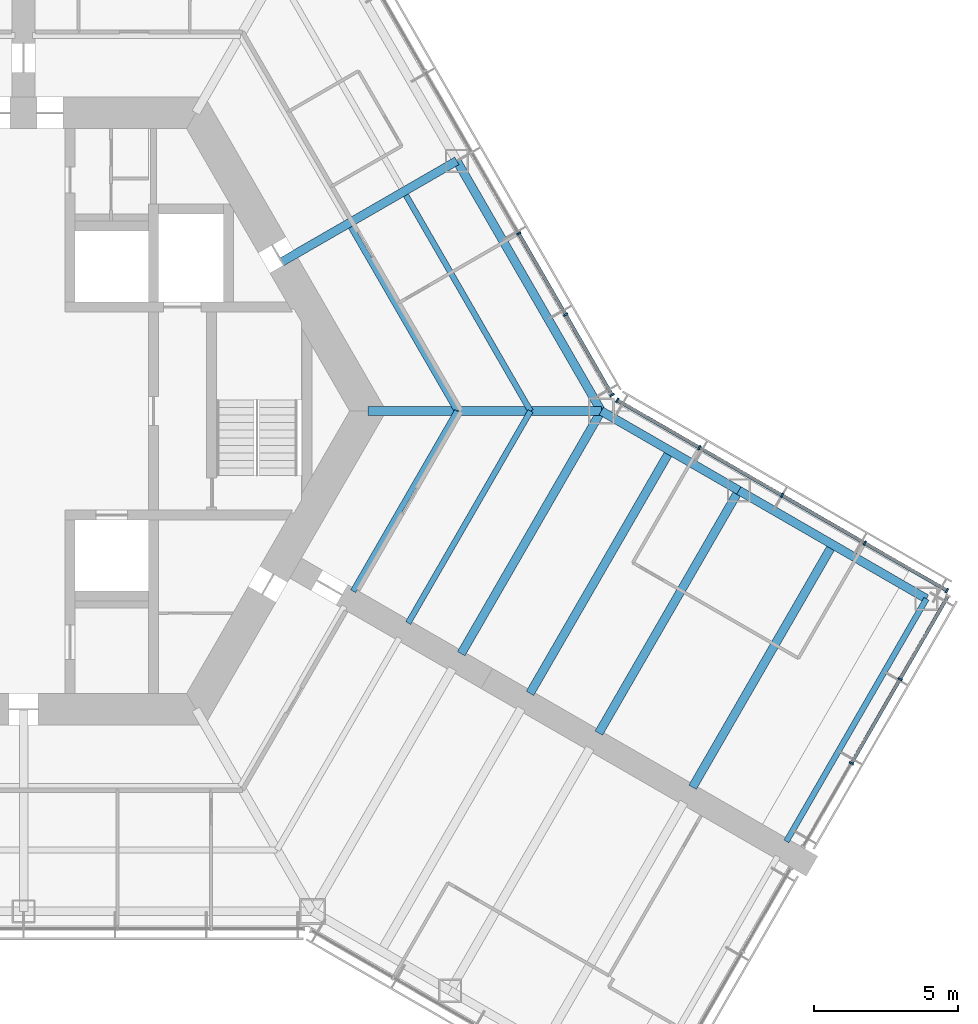
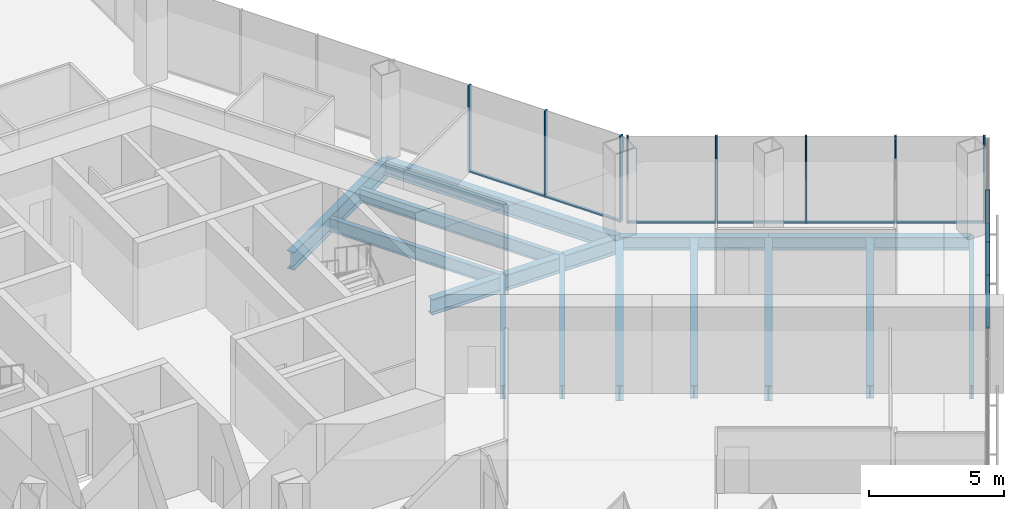
# One storey, part 6 of 18: 18 members, 14 beams, 3 elements without a shape of their own.
"""IFC4 building model written with IfcOpenShell, lengths in metres."""

from ifc_helpers import new_model, si_unit, direction, frame, origin, origin_2d, place, context, subcontext, project, spatial, rectangle, i_section, extrude, material, material_profile, profile_set, type_object, element, aggregate, save


model = new_model("IFC4")

# Units and contexts
model_context = context("Model", 3, precision=1e-05, world=origin(), true_north=direction((0.0, 1.0)))
body_context = subcontext(model_context, "Body", "Model", "MODEL_VIEW")
ifc_project = project(units=[si_unit("LENGTHUNIT", "METRE"), si_unit("AREAUNIT", "SQUARE_METRE"), si_unit("VOLUMEUNIT", "CUBIC_METRE"), si_unit("PLANEANGLEUNIT", "RADIAN"), si_unit("MASSUNIT", "GRAM", prefix="KILO")], contexts=[model_context])

# Site, building, storey
site_placement = place(None, origin())
site = spatial("IfcSite", under=ifc_project, at=site_placement, CompositionType="ELEMENT")
building_placement = place(site_placement, origin())
building = spatial("IfcBuilding", under=site, at=building_placement, Name="Kasaneha Research Tower", CompositionType="ELEMENT")
storey_placement = place(building_placement, frame((0.0, 0.0, 111.89990234375)))
storey = spatial("IfcBuildingStorey", under=building, at=storey_placement, Name="L28", CompositionType="ELEMENT", Elevation=111.89990234375)

# Beams
ifc_material_1 = material(Name="Steel SN490B", Category="steel")
ifc_material_profile_1 = material_profile(ifc_material_1, i_section(OverallWidth=0.199951171875, OverallDepth=0.60009765625, WebThickness=0.010986328125, FlangeThickness=0.01708984375, FilletRadius=0.012939453125, at=origin_2d()), Name="H-600x200x11x17")
ifc_profile_set_1 = profile_set([ifc_material_profile_1], Name="Steel SN490B")
beam_type_1 = type_object("IfcBeamType", Name="B1-3 secondary beam H-600x200x11x17", PredefinedType="JOIST", material=ifc_profile_set_1)
beam_1_placement = place(storey_placement, frame((15.010986328125, 0.0, -0.449951171875), z_axis=(-0.499994443168, 0.866028611999, 0.0), x_axis=(-0.866028611999, -0.499994443168, 0.0)))
element("IfcBeam", 1, at=beam_1_placement, inside=storey, type_object=beam_type_1, Name="Secondary beam RS030L1 L28", PredefinedType="JOIST", context=body_context, shape_type="SweptSolid", body=[
    extrude(i_section(OverallWidth=0.199951171875, OverallDepth=0.60009765625, WebThickness=0.010986328125, FlangeThickness=0.01708984375, FilletRadius=0.012939453125, at=origin_2d()), origin(), (0.0, 0.0, 1.0), 7.35546875),
])
beam_2_placement = place(storey_placement, frame((17.551513671875, 0.0, -0.449951171875), z_axis=(-0.5000050195, 0.866022505755, 0.0), x_axis=(-0.866022505755, -0.5000050195, 0.0)))
element("IfcBeam", 2, at=beam_2_placement, inside=storey, type_object=beam_type_1, Name="Secondary beam RS030L2 L28", PredefinedType="JOIST", context=body_context, shape_type="SweptSolid", body=[
    extrude(i_section(OverallWidth=0.199951171875, OverallDepth=0.60009765625, WebThickness=0.010986328125, FlangeThickness=0.01708984375, FilletRadius=0.012939453125, at=origin_2d()), origin(), (0.0, 0.0, 1.0), 8.6259765625),
])
beam_3_placement = place(storey_placement, frame((15.010986328125, 0.0, -0.449951171875), z_axis=(-0.499972735707, -0.866041144259, 0.0), x_axis=(0.866041144259, -0.499972735707, 0.0)))
element("IfcBeam", 3, at=beam_3_placement, inside=storey, type_object=beam_type_1, Name="Secondary beam RS330R1 L28", PredefinedType="JOIST", context=body_context, shape_type="SweptSolid", body=[
    extrude(i_section(OverallWidth=0.199951171875, OverallDepth=0.60009765625, WebThickness=0.010986328125, FlangeThickness=0.01708984375, FilletRadius=0.012939453125, at=origin_2d()), origin(), (0.0, 0.0, 1.0), 7.20556640625),
])
beam_4_placement = place(storey_placement, frame((17.551513671875, 0.0, -0.449951171875), z_axis=(-0.500020829043, -0.866013377797, 0.0), x_axis=(0.866013377797, -0.500020829043, 0.0)))
element("IfcBeam", 4, at=beam_4_placement, inside=storey, type_object=beam_type_1, Name="Secondary beam RS330R2 L28", PredefinedType="JOIST", context=body_context, shape_type="SweptSolid", body=[
    extrude(i_section(OverallWidth=0.199951171875, OverallDepth=0.60009765625, WebThickness=0.010986328125, FlangeThickness=0.01708984375, FilletRadius=0.012939453125, at=origin_2d()), origin(), (0.0, 0.0, 1.0), 8.475830078125),
])
ifc_material_2 = material(Name="Steel SN490B", Category="steel")
ifc_material_profile_2 = material_profile(ifc_material_2, i_section(OverallWidth=0.300048828125, OverallDepth=0.58203125, WebThickness=0.011962890625, FlangeThickness=0.01708984375, FilletRadius=0.012939453125, at=origin_2d()), Name="H-582x300x12x17")
ifc_profile_set_2 = profile_set([ifc_material_profile_2], Name="Steel SN490B")
beam_type_2 = type_object("IfcBeamType", Name="B2-3 secondary beam H-582x300x12x17", PredefinedType="JOIST", material=ifc_profile_set_2)
for number, where, z_axis, x_axis, name in (
    (5, (22.381591796875, -1.375, -0.44091796875), (-0.500010041276, -0.866019606374, 0.0), (0.866019606374, -0.500010041276, 0.0), "Secondary beam WBCN1 L28"),
    (6, (28.0107421875, -4.625, -0.44091796875), (-0.500010041276, -0.866019606374, 0.0), (0.866019606374, -0.500010041276, 0.0), "Secondary beam WBCN2 L28"),
):
    element("IfcBeam", number, at=place(storey_placement, frame(where, z_axis=z_axis, x_axis=x_axis)), inside=storey, type_object=beam_type_2, Name=name, PredefinedType="JOIST", context=body_context, shape_type="SweptSolid", body=[
        extrude(i_section(OverallWidth=0.300048828125, OverallDepth=0.58203125, WebThickness=0.011962890625, FlangeThickness=0.01708984375, FilletRadius=0.012939453125, at=origin_2d()), origin(), (0.0, 0.0, 1.0), 9.699951171875),
    ])

# Curtain wall, members
ifc_material_3 = material(Name="Glass and aluminium", Category="aluminium")
curtain_wall_type = type_object("IfcCurtainWallType", Name="Low-rise office curtain wall", PredefinedType="USERDEFINED", material=ifc_material_3)
curtain_wall_1_placement = place(storey_placement, origin())
curtain_wall_1 = element("IfcCurtainWall", 7, at=curtain_wall_1_placement, inside=storey, type_object=curtain_wall_type, Name="CW-O1 L28 run 05a", ObjectType="UNITISED CURTAIN WALL", PredefinedType="USERDEFINED")
ifc_material_4 = material(Name="Aluminium 6063-T6", Category="aluminium")
ifc_material_profile_3 = material_profile(ifc_material_4, rectangle(XDim=0.06005859375, YDim=0.159912109375, at=origin_2d()), Name="CW-O1 mullion 60x160")
ifc_profile_set_3 = profile_set([ifc_material_profile_3], Name="Aluminium 6063-T6")
member_type_1 = type_object("IfcMemberType", Name="CW-O1 mullion", PredefinedType="MULLION", material=ifc_profile_set_3)
member_1_placement = place(storey_placement, frame((28.661376953125, -12.1982421875, 0.0), z_axis=(0.0, 0.0, 1.0), x_axis=(0.500000011442, 0.866025397178, 0.0)))
member_1 = element("IfcMember", 8, at=member_1_placement, type_object=member_type_1, Name="CW-O1 mullion 2", PredefinedType="MULLION", context=body_context, shape_type="SweptSolid", body=[
    extrude(rectangle(XDim=0.06005859375, YDim=0.159912109375, at=origin_2d()), origin(), (0.0, 0.0, 1.0), 3.900146484375),
])
member_2_placement = place(storey_placement, frame((30.3447265625, -9.28271484375, 0.0), z_axis=(0.0, 0.0, 1.0), x_axis=(0.500000011442, 0.866025397178, 0.0)))
member_2 = element("IfcMember", 9, at=member_2_placement, type_object=member_type_1, Name="CW-O1 mullion 3", PredefinedType="MULLION", context=body_context, shape_type="SweptSolid", body=[
    extrude(rectangle(XDim=0.06005859375, YDim=0.159912109375, at=origin_2d()), origin(), (0.0, 0.0, 1.0), 3.900146484375),
])

curtain_wall_2_placement = place(storey_placement, origin())
curtain_wall_2 = element("IfcCurtainWall", 10, at=curtain_wall_2_placement, inside=storey, type_object=curtain_wall_type, Name="CW-O1 L28 run 06a", ObjectType="UNITISED CURTAIN WALL", PredefinedType="USERDEFINED")
member_3_placement = place(storey_placement, frame((31.96533203125, -6.21533203125, 0.0), z_axis=(0.0, 0.0, 1.0), x_axis=(-0.866025411464, 0.499999986699, 0.0)))
member_3 = element("IfcMember", 11, at=member_3_placement, type_object=member_type_1, Name="CW-O1 mullion 1", PredefinedType="MULLION", context=body_context, shape_type="SweptSolid", body=[
    extrude(rectangle(XDim=0.06005859375, YDim=0.159912109375, at=origin_2d()), origin(), (0.0, 0.0, 1.0), 3.900146484375),
])
member_4_placement = place(storey_placement, frame((29.125, -4.575439453125, 0.0), z_axis=(0.0, 0.0, 1.0), x_axis=(-0.866025411464, 0.499999986699, 0.0)))
member_4 = element("IfcMember", 12, at=member_4_placement, type_object=member_type_1, Name="CW-O1 mullion 2", PredefinedType="MULLION", context=body_context, shape_type="SweptSolid", body=[
    extrude(rectangle(XDim=0.06005859375, YDim=0.159912109375, at=origin_2d()), origin(), (0.0, 0.0, 1.0), 3.900146484375),
])
member_5_placement = place(storey_placement, frame((26.258544921875, -2.920654296875, 0.0), z_axis=(0.0, 0.0, 1.0), x_axis=(-0.866025411464, 0.499999986699, 0.0)))
member_5 = element("IfcMember", 13, at=member_5_placement, type_object=member_type_1, Name="CW-O1 mullion 3", PredefinedType="MULLION", context=body_context, shape_type="SweptSolid", body=[
    extrude(rectangle(XDim=0.06005859375, YDim=0.159912109375, at=origin_2d()), origin(), (0.0, 0.0, 1.0), 3.900146484375),
])
member_6_placement = place(storey_placement, frame((23.39208984375, -1.265625, 0.0), z_axis=(0.0, 0.0, 1.0), x_axis=(-0.866025411464, 0.499999986699, 0.0)))
member_6 = element("IfcMember", 14, at=member_6_placement, type_object=member_type_1, Name="CW-O1 mullion 4", PredefinedType="MULLION", context=body_context, shape_type="SweptSolid", body=[
    extrude(rectangle(XDim=0.06005859375, YDim=0.159912109375, at=origin_2d()), origin(), (0.0, 0.0, 1.0), 3.900146484375),
])
member_7_placement = place(storey_placement, frame((20.5517578125, 0.374267578125, 0.0), z_axis=(0.0, 0.0, 1.0), x_axis=(-0.866025411464, 0.499999986699, 0.0)))
member_7 = element("IfcMember", 15, at=member_7_placement, type_object=member_type_1, Name="CW-O1 mullion 5", PredefinedType="MULLION", context=body_context, shape_type="SweptSolid", body=[
    extrude(rectangle(XDim=0.06005859375, YDim=0.159912109375, at=origin_2d()), origin(), (0.0, 0.0, 1.0), 3.900146484375),
])

curtain_wall_3_placement = place(storey_placement, origin())
curtain_wall_3 = element("IfcCurtainWall", 16, at=curtain_wall_3_placement, inside=storey, type_object=curtain_wall_type, Name="CW-O1 L28 run 07a", ObjectType="UNITISED CURTAIN WALL", PredefinedType="USERDEFINED")
member_8_placement = place(storey_placement, frame((20.374267578125, 0.5517578125, 0.0), z_axis=(0.0, 0.0, 1.0), x_axis=(-0.49999996188, 0.866025425793, 0.0)))
member_8 = element("IfcMember", 17, at=member_8_placement, type_object=member_type_1, Name="CW-O1 mullion 1", PredefinedType="MULLION", context=body_context, shape_type="SweptSolid", body=[
    extrude(rectangle(XDim=0.06005859375, YDim=0.159912109375, at=origin_2d()), origin(), (0.0, 0.0, 1.0), 3.900146484375),
])
member_9_placement = place(storey_placement, frame((18.76611328125, 3.33740234375, 0.0), z_axis=(0.0, 0.0, 1.0), x_axis=(-0.49999996188, 0.866025425793, 0.0)))
member_9 = element("IfcMember", 18, at=member_9_placement, type_object=member_type_1, Name="CW-O1 mullion 2", PredefinedType="MULLION", context=body_context, shape_type="SweptSolid", body=[
    extrude(rectangle(XDim=0.06005859375, YDim=0.159912109375, at=origin_2d()), origin(), (0.0, 0.0, 1.0), 3.900146484375),
])
member_10_placement = place(storey_placement, frame((17.142822265625, 6.148681640625, 0.0), z_axis=(0.0, 0.0, 1.0), x_axis=(-0.49999996188, 0.866025425793, 0.0)))
member_10 = element("IfcMember", 19, at=member_10_placement, type_object=member_type_1, Name="CW-O1 mullion 3", PredefinedType="MULLION", context=body_context, shape_type="SweptSolid", body=[
    extrude(rectangle(XDim=0.06005859375, YDim=0.159912109375, at=origin_2d()), origin(), (0.0, 0.0, 1.0), 3.900146484375),
])

# Member
ifc_material_5 = material(Name="Aluminium 6063-T6", Category="aluminium")
ifc_material_profile_4 = material_profile(ifc_material_5, rectangle(XDim=0.1201171875, YDim=0.06005859375, at=origin_2d()), Name="CW-O1 transom 120x60")
ifc_profile_set_4 = profile_set([ifc_material_profile_4], Name="Aluminium 6063-T6")
member_type_2 = type_object("IfcMemberType", Name="CW-O1 transom", PredefinedType="USERDEFINED", material=ifc_profile_set_4)
member_11_placement = place(storey_placement, frame((28.67626953125, -12.17236328125, 0.030029296875), z_axis=(0.499982354831, 0.866035590988, 0.0), x_axis=(-0.866035590988, 0.499982354831, 0.0)))
member_11 = element("IfcMember", 20, at=member_11_placement, type_object=member_type_2, Name="CW-O1 transom 2", ObjectType="TRANSOM", PredefinedType="USERDEFINED", context=body_context, shape_type="SweptSolid", body=[
    extrude(rectangle(XDim=0.1201171875, YDim=0.06005859375, at=origin_2d()), origin(), (0.0, 0.0, 1.0), 3.306640625),
])

member_12_placement = place(storey_placement, frame((30.359619140625, -9.256591796875, 0.030029296875), z_axis=(0.500025583411, 0.866010632691, 0.0), x_axis=(-0.866010632691, 0.500025583411, 0.0)))
member_12 = element("IfcMember", 21, at=member_12_placement, type_object=member_type_2, Name="CW-O1 transom 3", ObjectType="TRANSOM", PredefinedType="USERDEFINED", context=body_context, shape_type="SweptSolid", body=[
    extrude(rectangle(XDim=0.1201171875, YDim=0.06005859375, at=origin_2d()), origin(), (0.0, 0.0, 1.0), 3.276611328125),
])

aggregate(curtain_wall_1, [member_1, member_2, member_11, member_12])

member_13_placement = place(storey_placement, frame((31.939453125, -6.200439453125, 0.030029296875), z_axis=(-0.866041647767, 0.499971863542, 0.0), x_axis=(-0.499971863542, -0.866041647767, 0.0)))
member_13 = element("IfcMember", 22, at=member_13_placement, type_object=member_type_2, Name="CW-O1 transom 1", ObjectType="TRANSOM", PredefinedType="USERDEFINED", context=body_context, shape_type="SweptSolid", body=[
    extrude(rectangle(XDim=0.1201171875, YDim=0.06005859375, at=origin_2d()), origin(), (0.0, 0.0, 1.0), 3.219970703125),
])

member_14_placement = place(storey_placement, frame((29.098876953125, -4.560546875, 0.030029296875), z_axis=(-0.86599666273, 0.500049777664, 0.0), x_axis=(-0.500049777664, -0.86599666273, 0.0)))
member_14 = element("IfcMember", 23, at=member_14_placement, type_object=member_type_2, Name="CW-O1 transom 2", ObjectType="TRANSOM", PredefinedType="USERDEFINED", context=body_context, shape_type="SweptSolid", body=[
    extrude(rectangle(XDim=0.1201171875, YDim=0.06005859375, at=origin_2d()), origin(), (0.0, 0.0, 1.0), 3.249755859375),
])

member_15_placement = place(storey_placement, frame((26.232666015625, -2.905517578125, 0.030029296875), z_axis=(-0.86604797581, 0.499960902066, 0.0), x_axis=(-0.499960902066, -0.86604797581, 0.0)))
member_15 = element("IfcMember", 24, at=member_15_placement, type_object=member_type_2, Name="CW-O1 transom 3", ObjectType="TRANSOM", PredefinedType="USERDEFINED", context=body_context, shape_type="SweptSolid", body=[
    extrude(rectangle(XDim=0.1201171875, YDim=0.06005859375, at=origin_2d()), origin(), (0.0, 0.0, 1.0), 3.249755859375),
])

member_16_placement = place(storey_placement, frame((23.3662109375, -1.250732421875, 0.030029296875), z_axis=(-0.866022692473, 0.500004696101, 0.0), x_axis=(-0.500004696101, -0.866022692473, 0.0)))
member_16 = element("IfcMember", 25, at=member_16_placement, type_object=member_type_2, Name="CW-O1 transom 4", ObjectType="TRANSOM", PredefinedType="USERDEFINED", context=body_context, shape_type="SweptSolid", body=[
    extrude(rectangle(XDim=0.1201171875, YDim=0.06005859375, at=origin_2d()), origin(), (0.0, 0.0, 1.0), 3.2197265625),
])

aggregate(curtain_wall_2, [member_3, member_4, member_5, member_6, member_7, member_13, member_14, member_15, member_16])

member_17_placement = place(storey_placement, frame((20.359130859375, 0.577880859375, 0.030029296875), z_axis=(-0.499999210213, 0.866025859768, 0.0), x_axis=(-0.866025859768, -0.499999210213, 0.0)))
member_17 = element("IfcMember", 26, at=member_17_placement, type_object=member_type_2, Name="CW-O1 transom 1", ObjectType="TRANSOM", PredefinedType="USERDEFINED", context=body_context, shape_type="SweptSolid", body=[
    extrude(rectangle(XDim=0.1201171875, YDim=0.06005859375, at=origin_2d()), origin(), (0.0, 0.0, 1.0), 3.15625),
])

member_18_placement = place(storey_placement, frame((18.7509765625, 3.36328125, 0.030029296875), z_axis=(-0.500012062035, 0.866018439653, 0.0), x_axis=(-0.866018439653, -0.500012062035, 0.0)))
member_18 = element("IfcMember", 27, at=member_18_placement, type_object=member_type_2, Name="CW-O1 transom 2", ObjectType="TRANSOM", PredefinedType="USERDEFINED", context=body_context, shape_type="SweptSolid", body=[
    extrude(rectangle(XDim=0.1201171875, YDim=0.06005859375, at=origin_2d()), origin(), (0.0, 0.0, 1.0), 3.1865234375),
])

aggregate(curtain_wall_3, [member_8, member_9, member_10, member_17, member_18])

# Beams
ifc_material_6 = material(Name="Steel SN490B", Category="steel")
ifc_material_profile_5 = material_profile(ifc_material_6, i_section(OverallWidth=0.300048828125, OverallDepth=0.699951171875, WebThickness=0.012939453125, FlangeThickness=0.02392578125, FilletRadius=0.01806640625, at=origin_2d()), Name="H-700x300x13x24")
ifc_profile_set_5 = profile_set([ifc_material_profile_5], Name="Steel SN490B")
beam_type_3 = type_object("IfcBeamType", Name="G1-3 radial girder H-700x300x13x24", PredefinedType="BEAM", material=ifc_profile_set_5)
beam_5_placement = place(storey_placement, frame((11.92236328125, 0.0, -0.5), z_axis=(1.0, 0.0, 0.0), x_axis=(0.0, 1.0, 0.0)))
element("IfcBeam", 28, at=beam_5_placement, inside=storey, type_object=beam_type_3, Name="Radial girder RV000 L28", PredefinedType="BEAM", context=body_context, shape_type="SweptSolid", body=[
    extrude(i_section(OverallWidth=0.300048828125, OverallDepth=0.699951171875, WebThickness=0.012939453125, FlangeThickness=0.02392578125, FilletRadius=0.01806640625, at=origin_2d()), origin(), (0.0, 0.0, 1.0), 8.07763671875),
])
ifc_material_7 = material(Name="Steel SN490B", Category="steel")
ifc_material_profile_6 = material_profile(ifc_material_7, i_section(OverallWidth=0.300048828125, OverallDepth=0.800048828125, WebThickness=0.013916015625, FlangeThickness=0.02587890625, FilletRadius=0.01806640625, at=origin_2d()), Name="H-800x300x14x26")
ifc_profile_set_6 = profile_set([ifc_material_profile_6], Name="Steel SN490B")
beam_type_4 = type_object("IfcBeamType", Name="G2-3 radial girder H-800x300x14x26", PredefinedType="BEAM", material=ifc_profile_set_6)
beam_6_placement = place(storey_placement, frame((8.941650390625, 5.16259765625, -0.5498046875), z_axis=(0.866039713508, 0.499975214012, 0.0), x_axis=(-0.499975214012, 0.866039713508, 0.0)))
element("IfcBeam", 29, at=beam_6_placement, inside=storey, type_object=beam_type_4, Name="Radial girder RM030 L28", PredefinedType="BEAM", context=body_context, shape_type="SweptSolid", body=[
    extrude(i_section(OverallWidth=0.300048828125, OverallDepth=0.800048828125, WebThickness=0.013916015625, FlangeThickness=0.02587890625, FilletRadius=0.01806640625, at=origin_2d()), origin(), (0.0, 0.0, 1.0), 6.995361328125),
])
ifc_material_8 = material(Name="Steel SN490B", Category="steel")
ifc_material_profile_7 = material_profile(ifc_material_8, i_section(OverallWidth=0.300048828125, OverallDepth=0.69189453125, WebThickness=0.012939453125, FlangeThickness=0.02001953125, FilletRadius=0.01806640625, at=origin_2d()), Name="H-692x300x13x20")
ifc_profile_set_7 = profile_set([ifc_material_profile_7], Name="Steel SN490B")
beam_type_5 = type_object("IfcBeamType", Name="G3-3 plate edge girder H-692x300x13x20", PredefinedType="BEAM", material=ifc_profile_set_7)
beam_7_placement = place(storey_placement, frame((20.0, 0.0, -0.495849609375), z_axis=(-0.500010041276, -0.866019606374, 0.0), x_axis=(0.866019606374, -0.500010041276, 0.0)))
element("IfcBeam", 30, at=beam_7_placement, inside=storey, type_object=beam_type_5, Name="Plate edge girder PECN L28", PredefinedType="BEAM", context=body_context, shape_type="SweptSolid", body=[
    extrude(i_section(OverallWidth=0.300048828125, OverallDepth=0.69189453125, WebThickness=0.012939453125, FlangeThickness=0.02001953125, FilletRadius=0.01806640625, at=origin_2d()), origin(), (0.0, 0.0, 1.0), 9.699951171875),
])
ifc_material_9 = material(Name="Steel SN490B", Category="steel")
ifc_material_profile_8 = material_profile(ifc_material_9, i_section(OverallWidth=0.300048828125, OverallDepth=0.699951171875, WebThickness=0.012939453125, FlangeThickness=0.02392578125, FilletRadius=0.01806640625, at=origin_2d()), Name="H-700x300x13x24")
ifc_profile_set_8 = profile_set([ifc_material_profile_8], Name="Steel SN490B")
beam_type_6 = type_object("IfcBeamType", Name="G4-3 wing girder H-700x300x13x24", PredefinedType="BEAM", material=ifc_profile_set_8)
beam_8_placement = place(storey_placement, frame((24.76318359375, -2.75, -0.5), z_axis=(-0.500010041276, -0.866019606374, 0.0), x_axis=(0.866019606374, -0.500010041276, 0.0)))
element("IfcBeam", 31, at=beam_8_placement, inside=storey, type_object=beam_type_6, Name="Wing girder WGCN L28", PredefinedType="BEAM", context=body_context, shape_type="SweptSolid", body=[
    extrude(i_section(OverallWidth=0.300048828125, OverallDepth=0.699951171875, WebThickness=0.012939453125, FlangeThickness=0.02392578125, FilletRadius=0.01806640625, at=origin_2d()), origin(), (0.0, 0.0, 1.0), 9.699951171875),
])
ifc_material_10 = material(Name="Steel SN490B", Category="steel")
ifc_material_profile_9 = material_profile(ifc_material_10, i_section(OverallWidth=0.300048828125, OverallDepth=0.69189453125, WebThickness=0.012939453125, FlangeThickness=0.02001953125, FilletRadius=0.01806640625, at=origin_2d()), Name="H-692x300x13x20")
ifc_profile_set_9 = profile_set([ifc_material_profile_9], Name="Steel SN490B")
beam_type_7 = type_object("IfcBeamType", Name="SB1-3 spandrel beam H-692x300x13x20", PredefinedType="SPANDREL", material=ifc_profile_set_9)
beam_9_placement = place(storey_placement, frame((20.0, 0.0, -0.495849609375), z_axis=(-0.500004234368, 0.866022959057, 0.0), x_axis=(-0.866022959057, -0.500004234368, 0.0)))
element("IfcBeam", 32, at=beam_9_placement, inside=storey, type_object=beam_type_7, Name="Spandrel beam SR030L L28", PredefinedType="SPANDREL", context=body_context, shape_type="SweptSolid", body=[
    extrude(i_section(OverallWidth=0.300048828125, OverallDepth=0.69189453125, WebThickness=0.012939453125, FlangeThickness=0.02001953125, FilletRadius=0.01806640625, at=origin_2d()), origin(), (0.0, 0.0, 1.0), 10.0),
])
ifc_material_11 = material(Name="Steel SN490B", Category="steel")
ifc_material_profile_10 = material_profile(ifc_material_11, i_section(OverallWidth=0.300048828125, OverallDepth=0.58203125, WebThickness=0.011962890625, FlangeThickness=0.01708984375, FilletRadius=0.012939453125, at=origin_2d()), Name="H-582x300x12x17")
ifc_profile_set_10 = profile_set([ifc_material_profile_10], Name="Steel SN490B")
beam_type_8 = type_object("IfcBeamType", Name="SB2-3 spandrel beam H-582x300x12x17", PredefinedType="SPANDREL", material=ifc_profile_set_10)
beam_10_placement = place(storey_placement, frame((20.0, 0.0, -0.44091796875), z_axis=(0.866027397988, -0.499996545922, 0.0), x_axis=(0.499996545922, 0.866027397988, 0.0)))
element("IfcBeam", 33, at=beam_10_placement, inside=storey, type_object=beam_type_8, Name="Spandrel beam WSCN1 L28", PredefinedType="SPANDREL", context=body_context, shape_type="SweptSolid", body=[
    extrude(i_section(OverallWidth=0.300048828125, OverallDepth=0.58203125, WebThickness=0.011962890625, FlangeThickness=0.01708984375, FilletRadius=0.012939453125, at=origin_2d()), origin(), (0.0, 0.0, 1.0), 5.5),
])
beam_11_placement = place(storey_placement, frame((24.76318359375, -2.75, -0.44091796875), z_axis=(0.866022959057, -0.500004234368, 0.0), x_axis=(0.500004234368, 0.866022959057, 0.0)))
element("IfcBeam", 34, at=beam_11_placement, inside=storey, type_object=beam_type_8, Name="Spandrel beam WSCN2 L28", PredefinedType="SPANDREL", context=body_context, shape_type="SweptSolid", body=[
    extrude(i_section(OverallWidth=0.300048828125, OverallDepth=0.58203125, WebThickness=0.011962890625, FlangeThickness=0.01708984375, FilletRadius=0.012939453125, at=origin_2d()), origin(), (0.0, 0.0, 1.0), 7.5),
])
ifc_material_12 = material(Name="Steel SN490B", Category="steel")
ifc_material_profile_11 = material_profile(ifc_material_12, i_section(OverallWidth=0.199951171875, OverallDepth=0.60009765625, WebThickness=0.010986328125, FlangeThickness=0.01708984375, FilletRadius=0.012939453125, at=origin_2d()), Name="H-600x200x11x17")
ifc_profile_set_11 = profile_set([ifc_material_profile_11], Name="Steel SN490B")
beam_type_9 = type_object("IfcBeamType", Name="SB3-3 spandrel beam H-600x200x11x17", PredefinedType="SPANDREL", material=ifc_profile_set_11)
beam_12_placement = place(storey_placement, frame((31.25830078125, -6.5, -0.449951171875), z_axis=(-0.499991164321, -0.866030505006, 0.0), x_axis=(0.866030505006, -0.499991164321, 0.0)))
element("IfcBeam", 35, at=beam_12_placement, inside=storey, type_object=beam_type_9, Name="Spandrel beam WTCN L28", PredefinedType="SPANDREL", context=body_context, shape_type="SweptSolid", body=[
    extrude(i_section(OverallWidth=0.199951171875, OverallDepth=0.60009765625, WebThickness=0.010986328125, FlangeThickness=0.01708984375, FilletRadius=0.012939453125, at=origin_2d()), origin(), (0.0, 0.0, 1.0), 9.699951171875),
])

save(model, "model.ifc")
